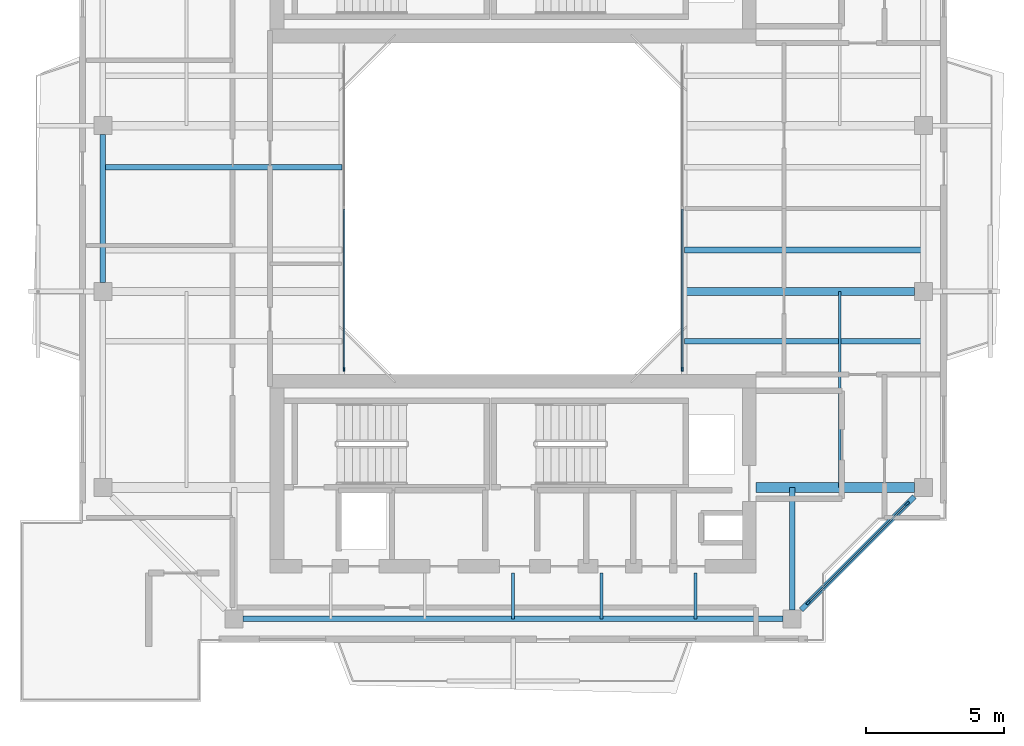
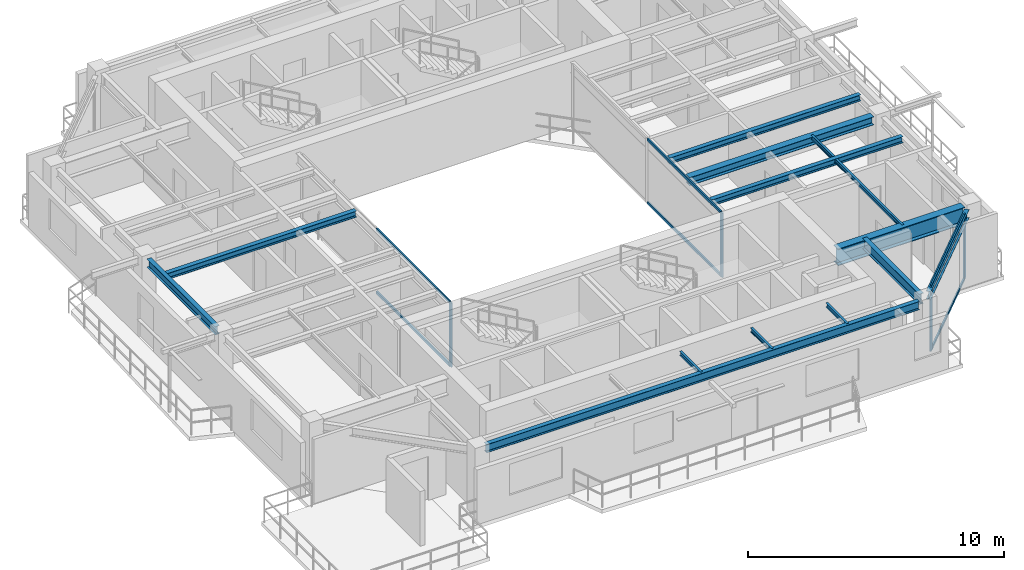
# One storey, part 3 of 14: 13 beams, 10 members, 3 elements without a shape of their own.
"""IFC4 building model written with IfcOpenShell, lengths in metres."""

from ifc_helpers import new_model, si_unit, direction, frame, origin, origin_2d, place, context, subcontext, project, spatial, rectangle, i_section, extrude, source, transform, mapped, material, layer, layer_set, material_profile, profile_set, type_object, element, aggregate, save


model = new_model("IFC4")

# Units and contexts
model_context = context("Model", 3, precision=1e-05, world=origin(), true_north=direction((0.0, 1.0)))
body_context = subcontext(model_context, "Body", "Model", "MODEL_VIEW")
ifc_project = project(units=[si_unit("LENGTHUNIT", "METRE"), si_unit("AREAUNIT", "SQUARE_METRE"), si_unit("VOLUMEUNIT", "CUBIC_METRE"), si_unit("PLANEANGLEUNIT", "RADIAN"), si_unit("MASSUNIT", "GRAM", prefix="KILO"), si_unit("THERMODYNAMICTEMPERATUREUNIT", "KELVIN"), si_unit("POWERUNIT", "WATT")], contexts=[model_context])

# Site, building, storey
site_placement = place(None, origin())
site = spatial("IfcSite", under=ifc_project, at=site_placement, CompositionType="ELEMENT")
building_placement = place(site_placement, origin())
building = spatial("IfcBuilding", under=site, at=building_placement, Name="Qiaomeng Ring Towers", CompositionType="ELEMENT")
storey_placement = place(building_placement, frame((0.0, 0.0, 243.75)))
storey = spatial("IfcBuildingStorey", under=building, at=storey_placement, Name="L71", CompositionType="ELEMENT", Elevation=243.75)

# Beams
ifc_material_1 = material(Name="Steel Q355B", Category="steel")
ifc_material_profile_1 = material_profile(ifc_material_1, i_section(OverallWidth=0.198974609375, OverallDepth=0.39599609375, WebThickness=0.007080078125, FlangeThickness=0.010986328125, FilletRadius=0.01611328125, at=origin_2d()), Name="HN 396x199x7x11")
ifc_profile_set_1 = profile_set([ifc_material_profile_1], Name="Steel Q355B")
beam_type_1 = type_object("IfcBeamType", Name="STR-BM-HN396", PredefinedType="SPANDREL", material=ifc_profile_set_1)
shared_shape_1 = source(origin(), body_context, "Body", "SweptSolid", [
    extrude(i_section(OverallWidth=0.198974609375, OverallDepth=0.39599609375, WebThickness=0.007080078125, FlangeThickness=0.010986328125, FilletRadius=0.01611328125, at=origin_2d()), origin(), (0.0, 0.0, 1.0), 19.5517578125),
])
beam_1_placement = place(storey_placement, frame((9.22412109375, 8.14990234375, 2.8720703125), z_axis=(1.0, 0.0, 0.0), x_axis=(0.0, 1.0, 0.0)))
element("IfcBeam", 1, at=beam_1_placement, inside=storey, type_object=beam_type_1, Name="L71 beam STR-SP-L71-T1-S1-S2", PredefinedType="SPANDREL", context=body_context, shape_type="MappedRepresentation", body=[
    mapped(shared_shape_1, transform((0.0, 0.0, 0.0), x_axis=(1.0, 0.0, 0.0), y_axis=(0.0, 1.0, 0.0), z_axis=(0.0, 0.0, 1.0), scale=1.0)),
])
shared_shape_2 = source(origin(), body_context, "Body", "SweptSolid", [
    extrude(i_section(OverallWidth=0.198974609375, OverallDepth=0.39599609375, WebThickness=0.007080078125, FlangeThickness=0.010986328125, FilletRadius=0.01611328125, at=origin_2d()), origin(), (0.0, 0.0, 1.0), 5.800048828125),
])
beam_2_placement = place(storey_placement, frame((29.42431640625, 8.474365234375, 2.8720703125), z_axis=(0.707106781187, 0.707106781187, 0.0), x_axis=(-0.707106781187, 0.707106781187, 0.0)))
element("IfcBeam", 2, at=beam_2_placement, inside=storey, type_object=beam_type_1, Name="L71 beam STR-SP-L71-T1-S2-E1", PredefinedType="SPANDREL", context=body_context, shape_type="MappedRepresentation", body=[
    mapped(shared_shape_2, transform((0.0, 0.0, 0.0), x_axis=(1.0, 0.0, 0.0), y_axis=(0.0, 1.0, 0.0), z_axis=(0.0, 0.0, 1.0), scale=1.0)),
])
shared_shape_3 = source(origin(), body_context, "Body", "SweptSolid", [
    extrude(i_section(OverallWidth=0.198974609375, OverallDepth=0.39599609375, WebThickness=0.007080078125, FlangeThickness=0.010986328125, FilletRadius=0.01611328125, at=origin_2d()), origin(), (0.0, 0.0, 1.0), 5.35205078125),
])
beam_3_placement = place(storey_placement, frame((4.14990234375, 25.676025390625, 2.8720703125), z_axis=(0.0, -1.0, 0.0), x_axis=(1.0, 0.0, 0.0)))
element("IfcBeam", 3, at=beam_3_placement, inside=storey, type_object=beam_type_1, Name="L71 beam STR-SP-L71-T1-W3-W2", PredefinedType="SPANDREL", context=body_context, shape_type="MappedRepresentation", body=[
    mapped(shared_shape_3, transform((0.0, 0.0, 0.0), x_axis=(1.0, 0.0, 0.0), y_axis=(0.0, 1.0, 0.0), z_axis=(0.0, 0.0, 1.0), scale=1.0)),
])
ifc_material_2 = material(Name="Steel Q390GJC", Category="steel")
ifc_material_profile_2 = material_profile(ifc_material_2, i_section(OverallWidth=0.35009765625, OverallDepth=0.800048828125, WebThickness=0.01611328125, FlangeThickness=0.028076171875, at=origin_2d()), Name="WH 800x350x16x28")
ifc_profile_set_2 = profile_set([ifc_material_profile_2], Name="Steel Q390GJC")
beam_type_2 = type_object("IfcBeamType", Name="STR-BM-WH800", PredefinedType="BEAM", material=ifc_profile_set_2)
shared_shape_4 = source(origin(), body_context, "Body", "SweptSolid", [
    extrude(i_section(OverallWidth=0.35009765625, OverallDepth=0.800048828125, WebThickness=0.01611328125, FlangeThickness=0.028076171875, at=origin_2d()), origin(), (0.0, 0.0, 1.0), 5.725830078125),
])
beam_4_placement = place(storey_placement, frame((27.800048828125, 12.89990234375, 2.669921875), z_axis=(1.0, 0.0, 0.0), x_axis=(0.0, 1.0, 0.0)))
element("IfcBeam", 4, at=beam_4_placement, inside=storey, type_object=beam_type_2, Name="L71 beam STR-BM-L71-T1-RAD-E1", PredefinedType="BEAM", context=body_context, shape_type="MappedRepresentation", body=[
    mapped(shared_shape_4, transform((0.0, 0.0, 0.0), x_axis=(1.0, 0.0, 0.0), y_axis=(0.0, 1.0, 0.0), z_axis=(0.0, 0.0, 1.0), scale=1.0)),
])
ifc_material_profile_3 = material_profile(ifc_material_1, i_section(OverallWidth=0.198974609375, OverallDepth=0.49609375, WebThickness=0.009033203125, FlangeThickness=0.013916015625, FilletRadius=0.01806640625, at=origin_2d()), Name="HN 496x199x9x14")
ifc_profile_set_3 = profile_set([ifc_material_profile_3], Name="Steel Q355B")
beam_type_3 = type_object("IfcBeamType", Name="STR-BM-HN496", PredefinedType="BEAM", material=ifc_profile_set_3)
shared_shape_5 = source(origin(), body_context, "Body", "SweptSolid", [
    extrude(i_section(OverallWidth=0.198974609375, OverallDepth=0.49609375, WebThickness=0.009033203125, FlangeThickness=0.013916015625, FilletRadius=0.01806640625, at=origin_2d()), origin(), (0.0, 0.0, 1.0), 4.42578125),
])
beam_5_placement = place(storey_placement, frame((29.10009765625, 8.47412109375, 2.822021484375), z_axis=(0.0, 1.0, 0.0), x_axis=(-1.0, 0.0, 0.0)))
element("IfcBeam", 5, at=beam_5_placement, inside=storey, type_object=beam_type_3, Name="L71 beam STR-BM-L71-T1-RAD-S2", PredefinedType="BEAM", context=body_context, shape_type="MappedRepresentation", body=[
    mapped(shared_shape_5, transform((0.0, 0.0, 0.0), x_axis=(1.0, 0.0, 0.0), y_axis=(0.0, 1.0, 0.0), z_axis=(0.0, 0.0, 1.0), scale=1.0)),
])
ifc_material_profile_4 = material_profile(ifc_material_1, i_section(OverallWidth=0.300048828125, OverallDepth=0.389892578125, WebThickness=0.010009765625, FlangeThickness=0.01611328125, FilletRadius=0.02197265625, at=origin_2d()), Name="HM 390x300x10x16")
ifc_profile_set_4 = profile_set([ifc_material_profile_4], Name="Steel Q355B")
beam_type_4 = type_object("IfcBeamType", Name="STR-BM-HM390", PredefinedType="BEAM", material=ifc_profile_set_4)
shared_shape_6 = source(origin(), body_context, "Body", "SweptSolid", [
    extrude(i_section(OverallWidth=0.300048828125, OverallDepth=0.389892578125, WebThickness=0.010009765625, FlangeThickness=0.01611328125, FilletRadius=0.02197265625, at=origin_2d()), origin(), (0.0, 0.0, 1.0), 8.325927734375),
])
beam_6_placement = place(storey_placement, frame((25.199951171875, 20.0, 2.875), z_axis=(1.0, 0.0, 0.0), x_axis=(0.0, 1.0, 0.0)))
element("IfcBeam", 6, at=beam_6_placement, inside=storey, type_object=beam_type_4, Name="L71 beam STR-BM-L71-T1-RAD-E2", PredefinedType="BEAM", context=body_context, shape_type="MappedRepresentation", body=[
    mapped(shared_shape_6, transform((0.0, 0.0, 0.0), x_axis=(1.0, 0.0, 0.0), y_axis=(0.0, 1.0, 0.0), z_axis=(0.0, 0.0, 1.0), scale=1.0)),
])
ifc_material_profile_5 = material_profile(ifc_material_1, i_section(OverallWidth=0.10009765625, OverallDepth=0.199951171875, WebThickness=0.005615234375, FlangeThickness=0.008056640625, FilletRadius=0.010986328125, at=origin_2d()), Name="HN 200x100x5.5x8")
ifc_profile_set_5 = profile_set([ifc_material_profile_5], Name="Steel Q355B")
beam_type_5 = type_object("IfcBeamType", Name="STR-BM-HN200", PredefinedType="JOIST", material=ifc_profile_set_5)
shared_shape_7 = source(origin(), body_context, "Body", "SweptSolid", [
    extrude(i_section(OverallWidth=0.10009765625, OverallDepth=0.199951171875, WebThickness=0.005615234375, FlangeThickness=0.008056640625, FilletRadius=0.010986328125, at=origin_2d()), origin(), (0.0, 0.0, 1.0), 1.650146484375),
])
for number, where, z_axis, x_axis, name in (
    (7, (19.0, 8.14990234375, 2.969970703125), (0.0, 1.0, 0.0), (-1.0, 0.0, 0.0), "L71 beam STR-JST-L71-T1S-3"),
    (8, (22.199951171875, 8.14990234375, 2.969970703125), (0.0, 1.0, 0.0), (-1.0, 0.0, 0.0), "L71 beam STR-JST-L71-T1S-4"),
    (9, (25.60009765625, 8.14990234375, 2.969970703125), (0.0, 1.0, 0.0), (-1.0, 0.0, 0.0), "L71 beam STR-JST-L71-T1S-5"),
):
    element("IfcBeam", number, at=place(storey_placement, frame(where, z_axis=z_axis, x_axis=x_axis)), inside=storey, type_object=beam_type_5, Name=name, PredefinedType="JOIST", context=body_context, shape_type="MappedRepresentation", body=[
        mapped(shared_shape_7, transform((0.0, 0.0, 0.0), x_axis=(1.0, 0.0, 0.0), y_axis=(0.0, 1.0, 0.0), z_axis=(0.0, 0.0, 1.0), scale=1.0)),
    ])
ifc_material_profile_6 = material_profile(ifc_material_1, i_section(OverallWidth=0.199951171875, OverallDepth=0.2939453125, WebThickness=0.008056640625, FlangeThickness=0.011962890625, FilletRadius=0.01806640625, at=origin_2d()), Name="HM 294x200x8x12")
ifc_profile_set_6 = profile_set([ifc_material_profile_6], Name="Steel Q355B")
beam_type_6 = type_object("IfcBeamType", Name="STR-BM-HM294", PredefinedType="JOIST", material=ifc_profile_set_6)
shared_shape_8 = source(origin(), body_context, "Body", "SweptSolid", [
    extrude(i_section(OverallWidth=0.199951171875, OverallDepth=0.2939453125, WebThickness=0.008056640625, FlangeThickness=0.011962890625, FilletRadius=0.01806640625, at=origin_2d()), origin(), (0.0, 0.0, 1.0), 8.650146484375),
])
for number, where, z_axis, x_axis, name in (
    (10, (25.199951171875, 18.199951171875, 2.923095703125), (1.0, 0.0, 0.0), (0.0, 1.0, 0.0), "L71 beam STR-JST-L71-T1E-1"),
    (11, (25.199951171875, 21.5, 2.923095703125), (1.0, 0.0, 0.0), (0.0, 1.0, 0.0), "L71 beam STR-JST-L71-T1E-2"),
    (12, (4.14990234375, 24.5, 2.923095703125), (1.0, 0.0, 0.0), (0.0, 1.0, 0.0), "L71 beam STR-JST-L71-T1W-3"),
):
    element("IfcBeam", number, at=place(storey_placement, frame(where, z_axis=z_axis, x_axis=x_axis)), inside=storey, type_object=beam_type_6, Name=name, PredefinedType="JOIST", context=body_context, shape_type="MappedRepresentation", body=[
        mapped(shared_shape_8, transform((0.0, 0.0, 0.0), x_axis=(1.0, 0.0, 0.0), y_axis=(0.0, 1.0, 0.0), z_axis=(0.0, 0.0, 1.0), scale=1.0)),
    ])
shared_shape_9 = source(origin(), body_context, "Body", "SweptSolid", [
    extrude(i_section(OverallWidth=0.10009765625, OverallDepth=0.199951171875, WebThickness=0.005615234375, FlangeThickness=0.008056640625, FilletRadius=0.010986328125, at=origin_2d()), origin(), (0.0, 0.0, 1.0), 7.10009765625),
])
beam_7_placement = place(storey_placement, frame((30.824951171875, 12.89990234375, 2.969970703125), z_axis=(0.0, 1.0, 0.0), x_axis=(-1.0, 0.0, 0.0)))
element("IfcBeam", 13, at=beam_7_placement, inside=storey, type_object=beam_type_5, Name="L71 beam STR-JST-L71-T1C-ES", PredefinedType="JOIST", context=body_context, shape_type="MappedRepresentation", body=[
    mapped(shared_shape_9, transform((0.0, 0.0, 0.0), x_axis=(1.0, 0.0, 0.0), y_axis=(0.0, 1.0, 0.0), z_axis=(0.0, 0.0, 1.0), scale=1.0)),
])

# Curtain wall, member
ifc_material_3 = material(Name="Fluorocarbon dark-grey aluminium", Category="aluminium")
ifc_layer_1 = layer(ifc_material_3, 0.139892578125, Name="Fluorocarbon dark-grey aluminium")
ifc_layer_set_1 = layer_set([ifc_layer_1], Name="Fluorocarbon dark-grey aluminium")
curtain_wall_type_1 = type_object("IfcCurtainWallType", Name="ARC-CW-4", PredefinedType="NOTDEFINED", material=ifc_layer_set_1)
curtain_wall_1_placement = place(storey_placement, origin())
curtain_wall_1 = element("IfcCurtainWall", 14, at=curtain_wall_1_placement, inside=storey, type_object=curtain_wall_type_1, Name="L71 Curtain Wall CW4", PredefinedType="NOTDEFINED")
ifc_material_profile_7 = material_profile(ifc_material_3, rectangle(XDim=0.06494140625, YDim=0.159912109375, at=origin_2d()), Name="ALU MULL 65x160")
ifc_profile_set_7 = profile_set([ifc_material_profile_7], Name="Fluorocarbon dark-grey aluminium")
member_type_1 = type_object("IfcMemberType", Name="ARC-CWM-140", PredefinedType="MULLION", material=ifc_profile_set_7)
shared_shape_10 = source(origin(), body_context, "Body", "SweptSolid", [
    extrude(rectangle(XDim=0.06494140625, YDim=0.159912109375, at=origin_2d()), origin(), (0.0, 0.0, 1.0), 3.070068359375),
])
member_1_placement = place(storey_placement, frame((12.8798828125, 17.1826171875, 0.0), z_axis=(0.0, 0.0, 1.0), x_axis=(-1.0, 0.0, 0.0)))
member_1 = element("IfcMember", 15, at=member_1_placement, type_object=member_type_1, Name="CW4 mullion 1", PredefinedType="MULLION", context=body_context, shape_type="MappedRepresentation", body=[
    mapped(shared_shape_10, transform((0.0, 0.0, 0.0), x_axis=(1.0, 0.0, 0.0), y_axis=(0.0, 1.0, 0.0), z_axis=(0.0, 0.0, 1.0), scale=1.0)),
])

curtain_wall_2_placement = place(storey_placement, origin())
curtain_wall_2 = element("IfcCurtainWall", 16, at=curtain_wall_2_placement, inside=storey, type_object=curtain_wall_type_1, Name="L71 Curtain Wall CW4", PredefinedType="NOTDEFINED")
member_2_placement = place(storey_placement, frame((25.1201171875, 17.1826171875, 0.0), z_axis=(0.0, 0.0, 1.0), x_axis=(-1.0, 0.0, 0.0)))
member_2 = element("IfcMember", 17, at=member_2_placement, type_object=member_type_1, Name="CW4 mullion 1", PredefinedType="MULLION", context=body_context, shape_type="MappedRepresentation", body=[
    mapped(shared_shape_10, transform((0.0, 0.0, 0.0), x_axis=(1.0, 0.0, 0.0), y_axis=(0.0, 1.0, 0.0), z_axis=(0.0, 0.0, 1.0), scale=1.0)),
])

# Member
ifc_material_profile_8 = material_profile(ifc_material_3, rectangle(XDim=0.06494140625, YDim=0.1298828125, at=origin_2d()), Name="ALU TRAN 65x130")
ifc_profile_set_8 = profile_set([ifc_material_profile_8], Name="Fluorocarbon dark-grey aluminium")
member_type_2 = type_object("IfcMemberType", Name="ARC-CWT-120", PredefinedType="USERDEFINED", material=ifc_profile_set_8)
shared_shape_11 = source(origin(), body_context, "Body", "SweptSolid", [
    extrude(rectangle(XDim=0.06494140625, YDim=0.1298828125, at=origin_2d()), origin(), (0.0, 0.0, 1.0), 5.75244140625),
])
member_3_placement = place(storey_placement, frame((12.8798828125, 17.215087890625, 0.032470703125), z_axis=(0.0, 1.0, 0.0), x_axis=(-1.0, 0.0, 0.0)))
member_3 = element("IfcMember", 18, at=member_3_placement, type_object=member_type_2, Name="CW4 transom 1.1", ObjectType="TRANSOM", PredefinedType="USERDEFINED", context=body_context, shape_type="MappedRepresentation", body=[
    mapped(shared_shape_11, transform((0.0, 0.0, 0.0), x_axis=(1.0, 0.0, 0.0), y_axis=(0.0, 1.0, 0.0), z_axis=(0.0, 0.0, 1.0), scale=1.0)),
])

member_4_placement = place(storey_placement, frame((12.8798828125, 17.215087890625, 3.03759765625), z_axis=(0.0, 1.0, 0.0), x_axis=(-1.0, 0.0, 0.0)))
member_4 = element("IfcMember", 19, at=member_4_placement, type_object=member_type_2, Name="CW4 transom 1.2", ObjectType="TRANSOM", PredefinedType="USERDEFINED", context=body_context, shape_type="MappedRepresentation", body=[
    mapped(shared_shape_11, transform((0.0, 0.0, 0.0), x_axis=(1.0, 0.0, 0.0), y_axis=(0.0, 1.0, 0.0), z_axis=(0.0, 0.0, 1.0), scale=1.0)),
])

aggregate(curtain_wall_1, [member_1, member_3, member_4])

member_5_placement = place(storey_placement, frame((25.1201171875, 17.215087890625, 0.032470703125), z_axis=(0.0, 1.0, 0.0), x_axis=(-1.0, 0.0, 0.0)))
member_5 = element("IfcMember", 20, at=member_5_placement, type_object=member_type_2, Name="CW4 transom 1.1", ObjectType="TRANSOM", PredefinedType="USERDEFINED", context=body_context, shape_type="MappedRepresentation", body=[
    mapped(shared_shape_11, transform((0.0, 0.0, 0.0), x_axis=(1.0, 0.0, 0.0), y_axis=(0.0, 1.0, 0.0), z_axis=(0.0, 0.0, 1.0), scale=1.0)),
])

member_6_placement = place(storey_placement, frame((25.1201171875, 17.215087890625, 3.03759765625), z_axis=(0.0, 1.0, 0.0), x_axis=(-1.0, 0.0, 0.0)))
member_6 = element("IfcMember", 21, at=member_6_placement, type_object=member_type_2, Name="CW4 transom 1.2", ObjectType="TRANSOM", PredefinedType="USERDEFINED", context=body_context, shape_type="MappedRepresentation", body=[
    mapped(shared_shape_11, transform((0.0, 0.0, 0.0), x_axis=(1.0, 0.0, 0.0), y_axis=(0.0, 1.0, 0.0), z_axis=(0.0, 0.0, 1.0), scale=1.0)),
])

aggregate(curtain_wall_2, [member_2, member_5, member_6])

# Curtain wall, members
ifc_layer_2 = layer(ifc_material_3, 0.14990234375, Name="Fluorocarbon dark-grey aluminium")
ifc_layer_set_2 = layer_set([ifc_layer_2], Name="Fluorocarbon dark-grey aluminium")
curtain_wall_type_2 = type_object("IfcCurtainWallType", Name="ARC-CW-3", PredefinedType="NOTDEFINED", material=ifc_layer_set_2)
curtain_wall_3_placement = place(storey_placement, origin())
curtain_wall_3 = element("IfcCurtainWall", 22, at=curtain_wall_3_placement, inside=storey, type_object=curtain_wall_type_2, Name="L71 Curtain Wall CW3", PredefinedType="NOTDEFINED")
ifc_material_profile_9 = material_profile(ifc_material_3, rectangle(XDim=0.070068359375, YDim=0.179931640625, at=origin_2d()), Name="ALU MULL 70x180")
ifc_profile_set_9 = profile_set([ifc_material_profile_9], Name="Fluorocarbon dark-grey aluminium")
member_type_3 = type_object("IfcMemberType", Name="ARC-CWM-160", PredefinedType="MULLION", material=ifc_profile_set_9)
shared_shape_12 = source(origin(), body_context, "Body", "SweptSolid", [
    extrude(rectangle(XDim=0.070068359375, YDim=0.179931640625, at=origin_2d()), origin(), (0.0, 0.0, 1.0), 3.070068359375),
])
member_7_placement = place(storey_placement, frame((29.689697265625, 8.73974609375, 0.0), z_axis=(0.0, 0.0, 1.0), x_axis=(-0.707106781187, 0.707106781187, 0.0)))
member_7 = element("IfcMember", 23, at=member_7_placement, type_object=member_type_3, Name="CW3 mullion 1", PredefinedType="MULLION", context=body_context, shape_type="MappedRepresentation", body=[
    mapped(shared_shape_12, transform((0.0, 0.0, 0.0), x_axis=(1.0, 0.0, 0.0), y_axis=(0.0, 1.0, 0.0), z_axis=(0.0, 0.0, 1.0), scale=1.0)),
])
member_8_placement = place(storey_placement, frame((33.26025390625, 12.310302734375, 0.0), z_axis=(0.0, 0.0, 1.0), x_axis=(-0.707106781187, 0.707106781187, 0.0)))
member_8 = element("IfcMember", 24, at=member_8_placement, type_object=member_type_3, Name="CW3 mullion 2", PredefinedType="MULLION", context=body_context, shape_type="MappedRepresentation", body=[
    mapped(shared_shape_12, transform((0.0, 0.0, 0.0), x_axis=(1.0, 0.0, 0.0), y_axis=(0.0, 1.0, 0.0), z_axis=(0.0, 0.0, 1.0), scale=1.0)),
])
shared_shape_13 = source(origin(), body_context, "Body", "SweptSolid", [
    extrude(rectangle(XDim=0.06494140625, YDim=0.1298828125, at=origin_2d()), origin(), (0.0, 0.0, 1.0), 4.9794921875),
])
member_9_placement = place(storey_placement, frame((29.714599609375, 8.764404296875, 0.032470703125), z_axis=(0.707106781187, 0.707106781187, 0.0), x_axis=(-0.707106781187, 0.707106781187, 0.0)))
member_9 = element("IfcMember", 25, at=member_9_placement, type_object=member_type_2, Name="CW3 transom 1.1", ObjectType="TRANSOM", PredefinedType="USERDEFINED", context=body_context, shape_type="MappedRepresentation", body=[
    mapped(shared_shape_13, transform((0.0, 0.0, 0.0), x_axis=(1.0, 0.0, 0.0), y_axis=(0.0, 1.0, 0.0), z_axis=(0.0, 0.0, 1.0), scale=1.0)),
])
member_10_placement = place(storey_placement, frame((29.714599609375, 8.764404296875, 3.03759765625), z_axis=(0.707106781187, 0.707106781187, 0.0), x_axis=(-0.707106781187, 0.707106781187, 0.0)))
member_10 = element("IfcMember", 26, at=member_10_placement, type_object=member_type_2, Name="CW3 transom 1.2", ObjectType="TRANSOM", PredefinedType="USERDEFINED", context=body_context, shape_type="MappedRepresentation", body=[
    mapped(shared_shape_13, transform((0.0, 0.0, 0.0), x_axis=(1.0, 0.0, 0.0), y_axis=(0.0, 1.0, 0.0), z_axis=(0.0, 0.0, 1.0), scale=1.0)),
])
aggregate(curtain_wall_3, [member_7, member_8, member_9, member_10])

save(model, "model.ifc")
